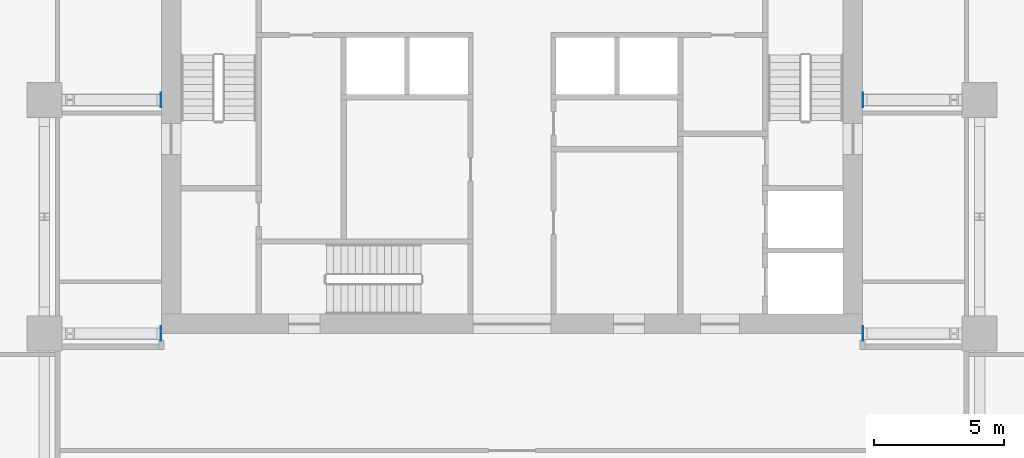
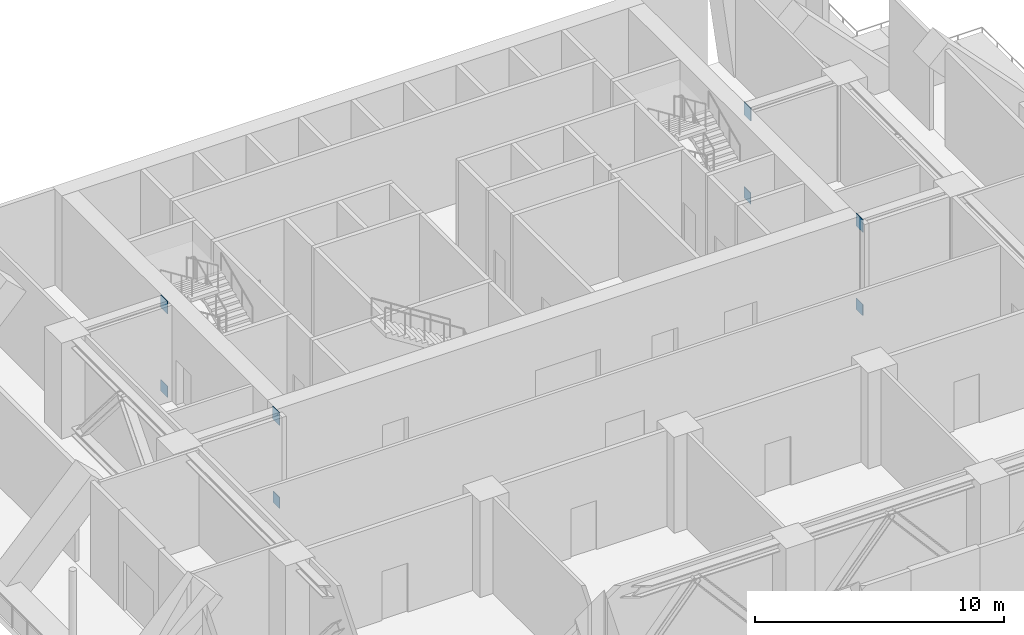
# One storey, part 2 of 9: 8 plates.
"""IFC4 building model written with IfcOpenShell, lengths in metres."""

from ifc_helpers import new_model, si_unit, direction, frame, origin, origin_2d, place, context, subcontext, project, spatial, rectangle, extrude, material, layer, layer_set, type_object, element, save


model = new_model("IFC4")

# Units and contexts
model_context = context("Model", 3, precision=1e-05, world=origin(), true_north=direction((0.0, 1.0)))
body_context = subcontext(model_context, "Body", "Model", "MODEL_VIEW")
ifc_project = project(units=[si_unit("LENGTHUNIT", "METRE"), si_unit("AREAUNIT", "SQUARE_METRE"), si_unit("VOLUMEUNIT", "CUBIC_METRE"), si_unit("PLANEANGLEUNIT", "RADIAN"), si_unit("MASSUNIT", "GRAM", prefix="KILO")], contexts=[model_context])

# Site, building, storey
site_placement = place(None, origin())
site = spatial("IfcSite", under=ifc_project, at=site_placement, CompositionType="ELEMENT")
building_placement = place(site_placement, origin())
building = spatial("IfcBuilding", under=site, at=building_placement, Name="Orbiselva Terraces", CompositionType="ELEMENT")
storey_placement = place(building_placement, frame((0.0, 0.0, 115.0)))
storey = spatial("IfcBuildingStorey", under=building, at=storey_placement, Name="L29", CompositionType="ELEMENT", Elevation=115.0)

# Plates
ifc_material = material(Name="Steel ASTM A572 Grade 50 plate", Category="steel")
ifc_layer_1 = layer(ifc_material, 0.03)
ifc_layer_set_1 = layer_set([ifc_layer_1], Name="Steel ASTM A572 Grade 50 plate")
plate_type_1 = type_object("IfcPlateType", Name="CAST-IN PLATE 532X548X30", PredefinedType="SHEET", material=ifc_layer_set_1)
for number, where, z_axis, x_axis, name in (
    (1, (-13.515, 4.5, 0.0), (0.0, 0.0, 1.0), (1.0, 0.0, 0.0), "Cast-in plate EP2 L29 west grid E bottom chord"),
    (2, (-13.515, 13.5, 0.0), (0.0, 0.0, 1.0), (1.0, 0.0, 0.0), "Cast-in plate EP2 L29 west grid F bottom chord"),
    (3, (13.515, 4.5, 0.0), (0.0, 0.0, 1.0), (1.0, 0.0, 0.0), "Cast-in plate EP2 L29 east grid E bottom chord"),
    (4, (13.515, 13.5, 0.0), (0.0, 0.0, 1.0), (1.0, 0.0, 0.0), "Cast-in plate EP2 L29 east grid F bottom chord"),
):
    element("IfcPlate", number, at=place(storey_placement, frame(where, z_axis=z_axis, x_axis=x_axis)), inside=storey, type_object=plate_type_1, Name=name, PredefinedType="SHEET", context=body_context, shape_type="SweptSolid", body=[
        extrude(rectangle(XDim=0.03, YDim=0.532, at=origin_2d()), origin(), (0.0, 0.0, 1.0), 0.548),
    ])
ifc_layer_2 = layer(ifc_material, 0.03)
ifc_layer_set_2 = layer_set([ifc_layer_2], Name="Steel ASTM A572 Grade 50 plate")
plate_type_2 = type_object("IfcPlateType", Name="CAST-IN PLATE 555X619X30", PredefinedType="SHEET", material=ifc_layer_set_2)
for number, where, z_axis, x_axis, name in (
    (5, (-13.515, 4.5, 4.081), (0.0, 0.0, 1.0), (1.0, 0.0, 0.0), "Cast-in plate EP1 L29 west grid E top chord"),
    (6, (-13.515, 13.5, 4.081), (0.0, 0.0, 1.0), (1.0, 0.0, 0.0), "Cast-in plate EP1 L29 west grid F top chord"),
    (7, (13.515, 4.5, 4.081), (0.0, 0.0, 1.0), (1.0, 0.0, 0.0), "Cast-in plate EP1 L29 east grid E top chord"),
    (8, (13.515, 13.5, 4.081), (0.0, 0.0, 1.0), (1.0, 0.0, 0.0), "Cast-in plate EP1 L29 east grid F top chord"),
):
    element("IfcPlate", number, at=place(storey_placement, frame(where, z_axis=z_axis, x_axis=x_axis)), inside=storey, type_object=plate_type_2, Name=name, PredefinedType="SHEET", context=body_context, shape_type="SweptSolid", body=[
        extrude(rectangle(XDim=0.03, YDim=0.555, at=origin_2d()), origin(), (0.0, 0.0, 1.0), 0.619),
    ])

save(model, "model.ifc")
